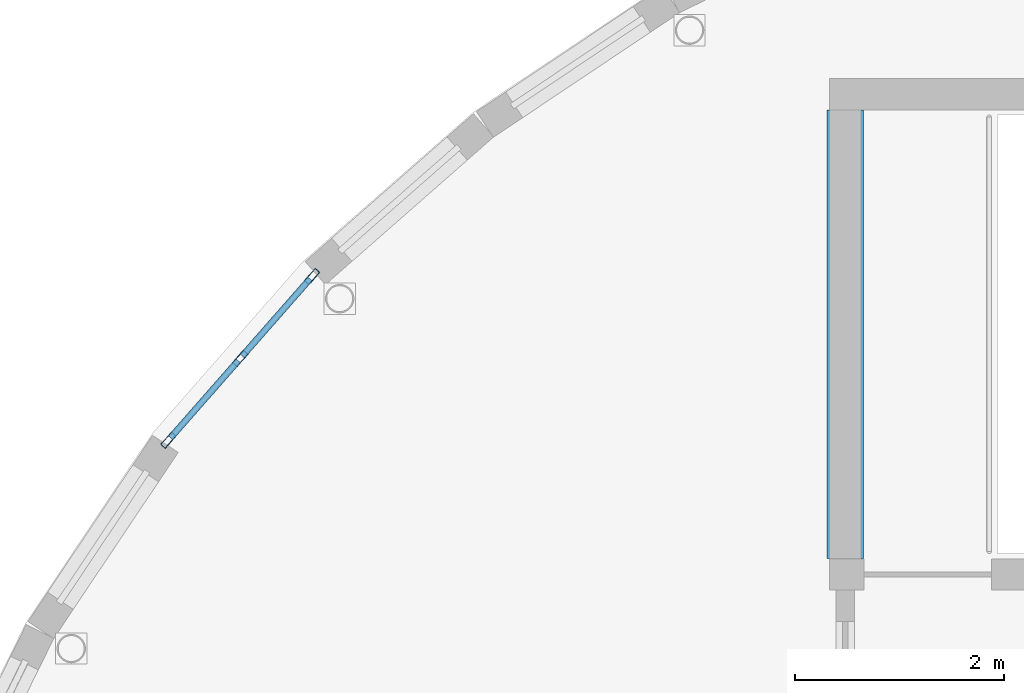
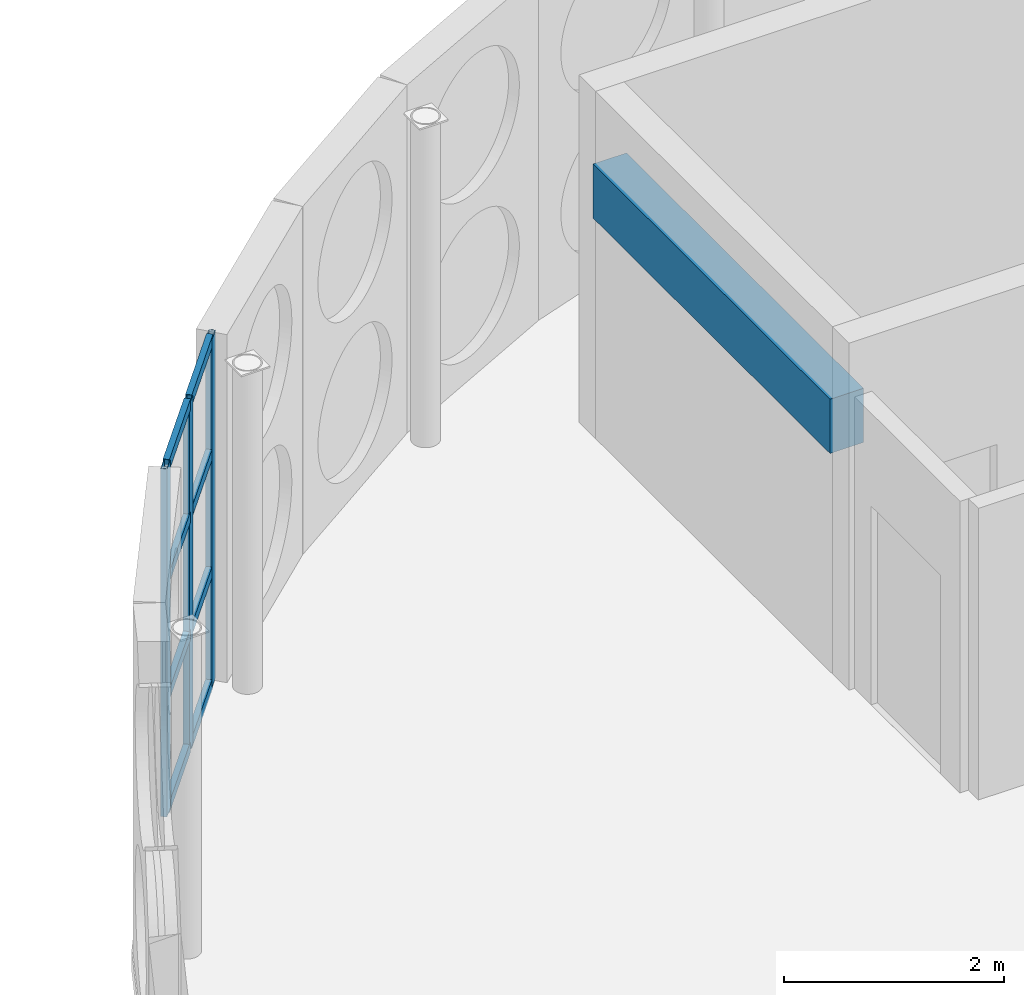
# One storey, part 29 of 114: 11 members, 1 beam, 1 element without a shape of its own.
"""IFC4 building model written with IfcOpenShell, lengths in metres."""

import ifcopenshell
import ifcopenshell.guid

model = None  # the IFC model being written
_history = None  # IfcOwnerHistory: only IFC2X3 demands one
_inside = {}  # id of a spatial element -> (the spatial element, [elements in it])
_under = {}  # id of a project, library or spatial element -> (it, [spatial elements below it])
_declared = {}  # id of a project -> (the project, [libraries it declares])
_typed = {}  # id of a type object -> (the type object, [elements of that type])
_made_of = {}  # id of a material, layer set ... -> (it, [elements and type objects made of it])


def new_model(schema):
    """Start an empty IFC model of exactly this schema.

    Asked for "IFC4X3", IfcOpenShell would pick the latest addendum, in which some entities
    have other attributes; the version numbers below select the first issue.
    IFC2X3 requires an IfcOwnerHistory on every rooted entity: one is made here for all.
    """
    global model, _history
    if schema == "IFC4X3":
        model = ifcopenshell.file(schema_version=(4, 3, 0, 0))
    else:
        model = ifcopenshell.file(schema=schema)
    _inside.clear()
    _under.clear()
    _declared.clear()
    _typed.clear()
    _made_of.clear()
    _history = None
    if model.schema == "IFC2X3":
        org = make("IfcOrganization", Name="unknown")
        user = make(
            "IfcPersonAndOrganization",
            ThePerson=make("IfcPerson", FamilyName="unknown"),
            TheOrganization=org,
        )
        app = make(
            "IfcApplication",
            ApplicationDeveloper=org,
            Version="unknown",
            ApplicationFullName="unknown",
            ApplicationIdentifier="unknown",
        )
        _history = make(
            "IfcOwnerHistory",
            OwningUser=user,
            OwningApplication=app,
            ChangeAction="ADDED",
            CreationDate=0,
        )
    return model


def make(cls, **values):
    """One entity of the class cls with the attributes given. An attribute that is None is left unset."""
    return model.create_entity(
        cls, **{name: value for name, value in values.items() if value is not None}
    )


def rooted(cls, **values):
    """An entity with a GlobalId (a new one), such as an element, a storey or a relation."""
    return make(cls, GlobalId=ifcopenshell.guid.new(), OwnerHistory=_history, **values)


def si_unit(unit_type, name, prefix=None):
    """IfcSIUnit, for example si_unit("LENGTHUNIT", "METRE", prefix="MILLI")."""
    return make("IfcSIUnit", UnitType=unit_type, Prefix=prefix, Name=name)


def assignment(units):
    """IfcUnitAssignment: the units of a project."""
    return None if units is None else make("IfcUnitAssignment", Units=units)


def point(xyz):
    """IfcCartesianPoint."""
    return None if xyz is None else make("IfcCartesianPoint", Coordinates=xyz)


def direction(xyz):
    """IfcDirection."""
    return None if xyz is None else make("IfcDirection", DirectionRatios=xyz)


def frame(location, z_axis=None, x_axis=None):
    """IfcAxis2Placement3D, a coordinate frame: its origin and axes. An axis left out is left unset."""
    return make(
        "IfcAxis2Placement3D",
        Location=point(location),
        Axis=direction(z_axis),
        RefDirection=direction(x_axis),
    )


def frame_2d(location, x_axis=None):
    """IfcAxis2Placement2D, a coordinate frame in the plane: its origin and x axis."""
    return make(
        "IfcAxis2Placement2D", Location=point(location), RefDirection=direction(x_axis)
    )


def origin():
    """The frame at (0, 0, 0) with its axes left unset."""
    return frame((0.0, 0.0, 0.0))


def origin_2d():
    """The frame at (0, 0) in the plane with its x axis left unset."""
    return frame_2d((0.0, 0.0))


def place(relative_to, where):
    """IfcLocalPlacement: puts the frame where relative to a parent placement (None: the world)."""
    return make(
        "IfcLocalPlacement", PlacementRelTo=relative_to, RelativePlacement=where
    )


def context(
    kind, dimensions, precision=None, world=None, true_north=None, identifier=None
):
    """IfcGeometricRepresentationContext, for example the 3D "Model" context."""
    return make(
        "IfcGeometricRepresentationContext",
        ContextIdentifier=identifier,
        ContextType=kind,
        CoordinateSpaceDimension=dimensions,
        Precision=precision,
        WorldCoordinateSystem=world,
        TrueNorth=true_north,
    )


def subcontext(parent, identifier, kind, view, scale=None):
    """IfcGeometricRepresentationSubContext, for example "Body" below "Model"."""
    return make(
        "IfcGeometricRepresentationSubContext",
        ContextIdentifier=identifier,
        ContextType=kind,
        ParentContext=parent,
        TargetScale=scale,
        TargetView=view,
    )


def project(units=None, contexts=None):
    """IfcProject with its units and contexts."""
    return rooted(
        "IfcProject",
        Name="project",
        RepresentationContexts=contexts,
        UnitsInContext=assignment(units),
    )


def spatial(cls, under=None, at=None, **own):
    """A site, building, storey or space (cls), placed at a placement, below another one or the project."""
    s = rooted(cls, ObjectPlacement=at, **own)
    if under is not None:
        _under.setdefault(under.id(), (under, []))[1].append(s)
    return s


def profile(cls, at=None, kind="AREA", **sizes):
    """A parametric profile (cls). Its sizes go by their IFC names, for example OverallWidth=200.0."""
    return make(cls, ProfileType=kind, Position=at, **sizes)


def rectangle(**sizes):
    """IfcRectangleProfileDef."""
    return profile("IfcRectangleProfileDef", **sizes)


def hollow_rectangle(**sizes):
    """IfcRectangleHollowProfileDef."""
    return profile("IfcRectangleHollowProfileDef", **sizes)


def extrude(swept, where, along, depth):
    """IfcExtrudedAreaSolid: the profile swept, set in the frame where, extruded along a direction by depth."""
    return make(
        "IfcExtrudedAreaSolid",
        SweptArea=swept,
        Position=where,
        ExtrudedDirection=direction(along),
        Depth=depth,
    )


def shape(context_of_items, identifier, shape_type, items):
    """IfcShapeRepresentation: the items that make up one representation, for example the "Body"."""
    return make(
        "IfcShapeRepresentation",
        ContextOfItems=context_of_items,
        RepresentationIdentifier=identifier,
        RepresentationType=shape_type,
        Items=items,
    )


def material(Name=None, Category=None):
    """IfcMaterial."""
    return make("IfcMaterial", Name=Name, Category=Category)


def layer(
    of_material, thickness, ventilated=None, Name=None, Category=None, Priority=None
):
    """IfcMaterialLayer: one layer of a wall or slab, of a material (None: an air gap)."""
    return make(
        "IfcMaterialLayer",
        Material=of_material,
        LayerThickness=thickness,
        IsVentilated=ventilated,
        Name=Name,
        Category=Category,
        Priority=Priority,
    )


def layer_set(layers, Name=None):
    """IfcMaterialLayerSet."""
    return make("IfcMaterialLayerSet", MaterialLayers=layers, LayerSetName=Name)


def material_profile(
    of_material, cross_section, Name=None, Category=None, Priority=None
):
    """IfcMaterialProfile: a cross section and its material."""
    return make(
        "IfcMaterialProfile",
        Name=Name,
        Material=of_material,
        Profile=cross_section,
        Priority=Priority,
        Category=Category,
    )


def profile_set(profiles, Name=None, composite=None):
    """IfcMaterialProfileSet."""
    return make(
        "IfcMaterialProfileSet",
        Name=Name,
        MaterialProfiles=profiles,
        CompositeProfile=composite,
    )


def made_of(thing, what):
    """Note that an element or type object is made of a material, layer set ...; save() writes the relation."""
    if what is not None:
        _made_of.setdefault(what.id(), (what, []))[1].append(thing)
    return thing


def type_object(cls, material=None, **own):
    """A type object (cls), such as IfcWallType, which elements share."""
    return made_of(rooted(cls, **own), material)


def element(
    cls,
    number,
    at=None,
    inside=None,
    cuts=None,
    type_object=None,
    material=None,
    context=None,
    identifier="Body",
    shape_type=None,
    held_by="IfcProductDefinitionShape",
    body=None,
    shapes=None,
    **own,
):
    """One element of the class cls, such as IfcWall. Its Tag is "e" and its number.

    at: its placement. inside: the storey or other place that contains it. cuts: it is an
    opening in that element (IfcRelVoidsElement). A single representation is given by context,
    identifier, shape_type and body (its items); several are given by shapes. held_by: the class
    of the entity that holds the representations. save() writes the other relations.
    """
    e = rooted(cls, Tag="e%d" % number, ObjectPlacement=at, **own)
    if body is not None:
        shapes = [shape(context, identifier, shape_type, body)]
    if shapes is not None:
        e.Representation = make(held_by, Representations=shapes)
    if inside is not None:
        _inside.setdefault(inside.id(), (inside, []))[1].append(e)
    if cuts is not None:
        rooted(
            "IfcRelVoidsElement", RelatingBuildingElement=cuts, RelatedOpeningElement=e
        )
    if type_object is not None:
        _typed.setdefault(type_object.id(), (type_object, []))[1].append(e)
    return made_of(e, material)


def aggregate(whole, parts):
    """IfcRelAggregates: a whole, such as a stair, and the parts it consists of."""
    return rooted("IfcRelAggregates", RelatingObject=whole, RelatedObjects=parts)


def save(model, path):
    """Write the relations noted so far, then the file.

    IfcRelAggregates (storeys below a building ...), IfcRelContainedInSpatialStructure (elements
    in a storey), IfcRelDefinesByType, IfcRelAssociatesMaterial and IfcRelDeclares: one each for
    every whole, place, type object, material and project.
    """
    for whole, parts in _under.values():
        aggregate(whole, parts)
    for where, things in _inside.values():
        rooted(
            "IfcRelContainedInSpatialStructure",
            RelatedElements=things,
            RelatingStructure=where,
        )
    for kind, things in _typed.values():
        rooted("IfcRelDefinesByType", RelatedObjects=things, RelatingType=kind)
    for what, things in _made_of.values():
        rooted("IfcRelAssociatesMaterial", RelatedObjects=things, RelatingMaterial=what)
    for by, libraries in _declared.values():
        rooted("IfcRelDeclares", RelatingContext=by, RelatedDefinitions=libraries)
    model.write(path)


model = new_model("IFC4")

# Units and contexts
model_context = context("Model", 3, precision=1e-05, world=origin(), true_north=direction((0.0, 1.0)))
body_context = subcontext(model_context, "Body", "Model", "MODEL_VIEW")
ifc_project = project(units=[si_unit("LENGTHUNIT", "METRE"), si_unit("AREAUNIT", "SQUARE_METRE"), si_unit("VOLUMEUNIT", "CUBIC_METRE"), si_unit("PLANEANGLEUNIT", "RADIAN"), si_unit("MASSUNIT", "GRAM", prefix="KILO")], contexts=[model_context])

# Site, building, storey
site_placement = place(None, origin())
site = spatial("IfcSite", under=ifc_project, at=site_placement, CompositionType="ELEMENT")
building_placement = place(site_placement, origin())
building = spatial("IfcBuilding", under=site, at=building_placement, Name="Montecoro Central Library", CompositionType="ELEMENT")
storey_placement = place(building_placement, frame((0.0, 0.0, 13.260009765625)))
storey = spatial("IfcBuildingStorey", under=building, at=storey_placement, Name="L03", CompositionType="ELEMENT", Elevation=13.260009765625)

# Beam
ifc_material_1 = material(Name="Concrete C35/45", Category="concrete")
ifc_material_profile_1 = material_profile(ifc_material_1, rectangle(XDim=0.35009765625, YDim=0.60009765625, at=origin_2d()), Name="RC LNT 600x350")
ifc_profile_set_1 = profile_set([ifc_material_profile_1], Name="Concrete C35/45")
beam_type = type_object("IfcBeamType", Name="BM-LN-RC01", PredefinedType="LINTEL", material=ifc_profile_set_1)
beam_placement = place(storey_placement, frame((85.0, 44.35009765625, 2.75), z_axis=(0.0, 1.0, 0.0), x_axis=(-1.0, 0.0, 0.0)))
element("IfcBeam", 1, at=beam_placement, inside=storey, type_object=beam_type, Name="C1-L03-LNT", PredefinedType="LINTEL", context=body_context, shape_type="SweptSolid", body=[
    extrude(rectangle(XDim=0.35009765625, YDim=0.60009765625, at=origin_2d()), origin(), (0.0, 0.0, 1.0), 4.2998046875),
])

# Curtain wall, members
ifc_material_2 = material(Name="Bronze-anodised aluminium and low-E glazing", Category="aluminium")
ifc_layer = layer(ifc_material_2, 0.159912109375)
ifc_layer_set = layer_set([ifc_layer], Name="Bronze-anodised aluminium and low-E glazing")
curtain_wall_type = type_object("IfcCurtainWallType", Name="CWT-005", PredefinedType="NOTDEFINED", material=ifc_layer_set)
curtain_wall_placement = place(storey_placement, origin())
curtain_wall = element("IfcCurtainWall", 2, at=curtain_wall_placement, inside=storey, type_object=curtain_wall_type, Name="V1-L03-CW-19", PredefinedType="NOTDEFINED")
ifc_material_3 = material(Name="Bronze-anodised aluminium", Category="aluminium")
ifc_material_profile_2 = material_profile(ifc_material_3, hollow_rectangle(XDim=0.06005859375, YDim=0.159912109375, WallThickness=0.00390625, at=origin_2d()), Name="CWM 160x60x4.0")
ifc_profile_set_2 = profile_set([ifc_material_profile_2], Name="Bronze-anodised aluminium")
member_type_1 = type_object("IfcMemberType", Name="CWM-BRZ-60", PredefinedType="MULLION", material=ifc_profile_set_2)
member_1_placement = place(storey_placement, frame((79.894287109375, 47.052490234375, 0.0), z_axis=(0.0, 0.0, 1.0), x_axis=(0.751536059457, -0.659692012485, 0.0)))
member_1 = element("IfcMember", 3, at=member_1_placement, type_object=member_type_1, Name="CW-005 mullion 1", PredefinedType="MULLION", context=body_context, shape_type="SweptSolid", body=[
    extrude(hollow_rectangle(XDim=0.06005859375, YDim=0.159912109375, WallThickness=0.00390625, at=origin_2d()), origin(), (0.0, 0.0, 1.0), 3.85498046875),
])
member_2_placement = place(storey_placement, frame((79.20654296875, 46.26904296875, 0.0), z_axis=(0.0, 0.0, 1.0), x_axis=(0.751536059457, -0.659692012485, 0.0)))
member_2 = element("IfcMember", 4, at=member_2_placement, type_object=member_type_1, Name="CW-005 mullion 2", PredefinedType="MULLION", context=body_context, shape_type="SweptSolid", body=[
    extrude(hollow_rectangle(XDim=0.06005859375, YDim=0.159912109375, WallThickness=0.00390625, at=origin_2d()), origin(), (0.0, 0.0, 1.0), 3.85498046875),
])
member_3_placement = place(storey_placement, frame((78.518798828125, 45.485595703125, 0.0), z_axis=(0.0, 0.0, 1.0), x_axis=(0.751536059457, -0.659692012485, 0.0)))
member_3 = element("IfcMember", 5, at=member_3_placement, type_object=member_type_1, Name="CW-005 mullion 3", PredefinedType="MULLION", context=body_context, shape_type="SweptSolid", body=[
    extrude(hollow_rectangle(XDim=0.06005859375, YDim=0.159912109375, WallThickness=0.00390625, at=origin_2d()), origin(), (0.0, 0.0, 1.0), 3.85498046875),
])
ifc_material_profile_3 = material_profile(ifc_material_3, hollow_rectangle(XDim=0.06005859375, YDim=0.1201171875, WallThickness=0.00390625, at=origin_2d()), Name="CWT 120x60x4.0")
ifc_profile_set_3 = profile_set([ifc_material_profile_3], Name="Bronze-anodised aluminium")
member_type_2 = type_object("IfcMemberType", Name="CWT-BRZ-60", PredefinedType="USERDEFINED", material=ifc_profile_set_3)
member_4_placement = place(storey_placement, frame((79.87451171875, 47.030029296875, 0.030029296875), z_axis=(-0.659647179219, -0.751575411351, 0.0), x_axis=(0.751575411351, -0.659647179219, 0.0)))
member_4 = element("IfcMember", 6, at=member_4_placement, type_object=member_type_2, Name="CW-005 transom 1.1", ObjectType="TRANSOM", PredefinedType="USERDEFINED", context=body_context, shape_type="SweptSolid", body=[
    extrude(hollow_rectangle(XDim=0.06005859375, YDim=0.1201171875, WallThickness=0.00390625, at=origin_2d()), origin(), (0.0, 0.0, 1.0), 0.982666015625),
])
member_5_placement = place(storey_placement, frame((79.87451171875, 47.030029296875, 1.280029296875), z_axis=(-0.659647179219, -0.751575411351, 0.0), x_axis=(0.751575411351, -0.659647179219, 0.0)))
member_5 = element("IfcMember", 7, at=member_5_placement, type_object=member_type_2, Name="CW-005 transom 1.2", ObjectType="TRANSOM", PredefinedType="USERDEFINED", context=body_context, shape_type="SweptSolid", body=[
    extrude(hollow_rectangle(XDim=0.06005859375, YDim=0.1201171875, WallThickness=0.00390625, at=origin_2d()), origin(), (0.0, 0.0, 1.0), 0.982666015625),
])
member_6_placement = place(storey_placement, frame((79.87451171875, 47.030029296875, 2.580078125), z_axis=(-0.659647179219, -0.751575411351, 0.0), x_axis=(0.751575411351, -0.659647179219, 0.0)))
member_6 = element("IfcMember", 8, at=member_6_placement, type_object=member_type_2, Name="CW-005 transom 1.3", ObjectType="TRANSOM", PredefinedType="USERDEFINED", context=body_context, shape_type="SweptSolid", body=[
    extrude(hollow_rectangle(XDim=0.06005859375, YDim=0.1201171875, WallThickness=0.00390625, at=origin_2d()), origin(), (0.0, 0.0, 1.0), 0.982666015625),
])
member_7_placement = place(storey_placement, frame((79.87451171875, 47.030029296875, 3.824951171875), z_axis=(-0.659647179219, -0.751575411351, 0.0), x_axis=(0.751575411351, -0.659647179219, 0.0)))
member_7 = element("IfcMember", 9, at=member_7_placement, type_object=member_type_2, Name="CW-005 transom 1.4", ObjectType="TRANSOM", PredefinedType="USERDEFINED", context=body_context, shape_type="SweptSolid", body=[
    extrude(hollow_rectangle(XDim=0.06005859375, YDim=0.1201171875, WallThickness=0.00390625, at=origin_2d()), origin(), (0.0, 0.0, 1.0), 0.982666015625),
])
member_8_placement = place(storey_placement, frame((79.186767578125, 46.246337890625, 0.030029296875), z_axis=(-0.659770370881, -0.751467269885, 0.0), x_axis=(0.751467269885, -0.659770370881, 0.0)))
member_8 = element("IfcMember", 10, at=member_8_placement, type_object=member_type_2, Name="CW-005 transom 2.1", ObjectType="TRANSOM", PredefinedType="USERDEFINED", context=body_context, shape_type="SweptSolid", body=[
    extrude(hollow_rectangle(XDim=0.06005859375, YDim=0.1201171875, WallThickness=0.00390625, at=origin_2d()), origin(), (0.0, 0.0, 1.0), 0.982421875),
])
member_9_placement = place(storey_placement, frame((79.186767578125, 46.246337890625, 1.280029296875), z_axis=(-0.659770370881, -0.751467269885, 0.0), x_axis=(0.751467269885, -0.659770370881, 0.0)))
member_9 = element("IfcMember", 11, at=member_9_placement, type_object=member_type_2, Name="CW-005 transom 2.2", ObjectType="TRANSOM", PredefinedType="USERDEFINED", context=body_context, shape_type="SweptSolid", body=[
    extrude(hollow_rectangle(XDim=0.06005859375, YDim=0.1201171875, WallThickness=0.00390625, at=origin_2d()), origin(), (0.0, 0.0, 1.0), 0.982421875),
])
member_10_placement = place(storey_placement, frame((79.186767578125, 46.246337890625, 2.580078125), z_axis=(-0.659770370881, -0.751467269885, 0.0), x_axis=(0.751467269885, -0.659770370881, 0.0)))
member_10 = element("IfcMember", 12, at=member_10_placement, type_object=member_type_2, Name="CW-005 transom 2.3", ObjectType="TRANSOM", PredefinedType="USERDEFINED", context=body_context, shape_type="SweptSolid", body=[
    extrude(hollow_rectangle(XDim=0.06005859375, YDim=0.1201171875, WallThickness=0.00390625, at=origin_2d()), origin(), (0.0, 0.0, 1.0), 0.982421875),
])
member_11_placement = place(storey_placement, frame((79.186767578125, 46.246337890625, 3.824951171875), z_axis=(-0.659770370881, -0.751467269885, 0.0), x_axis=(0.751467269885, -0.659770370881, 0.0)))
member_11 = element("IfcMember", 13, at=member_11_placement, type_object=member_type_2, Name="CW-005 transom 2.4", ObjectType="TRANSOM", PredefinedType="USERDEFINED", context=body_context, shape_type="SweptSolid", body=[
    extrude(hollow_rectangle(XDim=0.06005859375, YDim=0.1201171875, WallThickness=0.00390625, at=origin_2d()), origin(), (0.0, 0.0, 1.0), 0.982421875),
])
aggregate(curtain_wall, [member_1, member_2, member_3, member_4, member_5, member_6, member_7, member_8, member_9, member_10, member_11])

save(model, "model.ifc")
